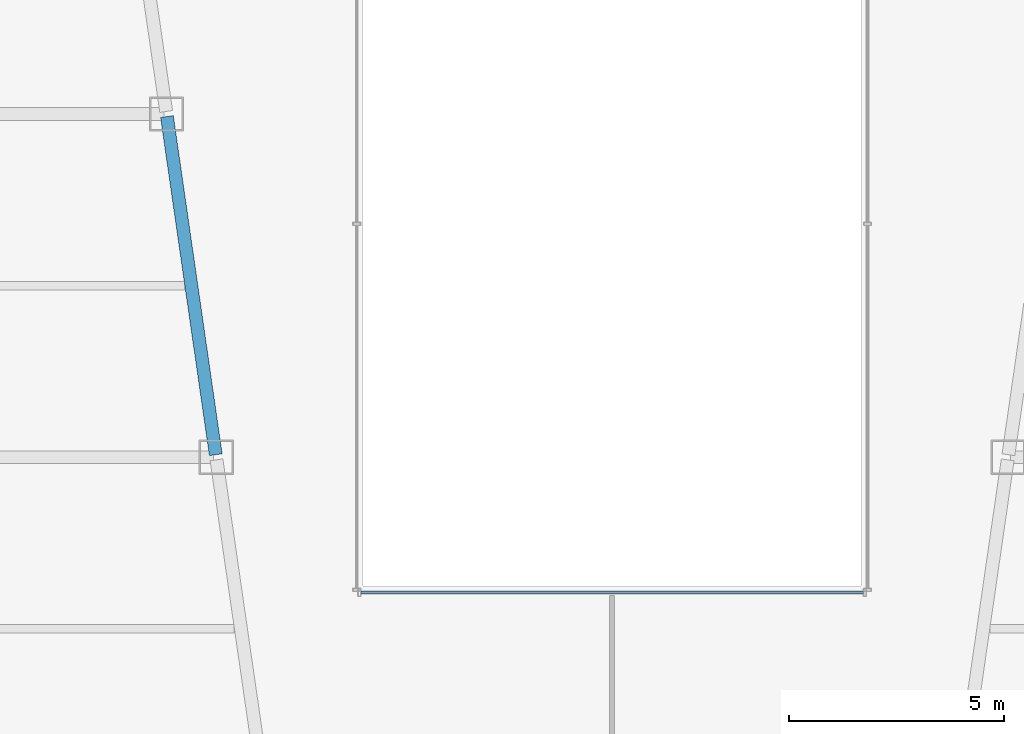
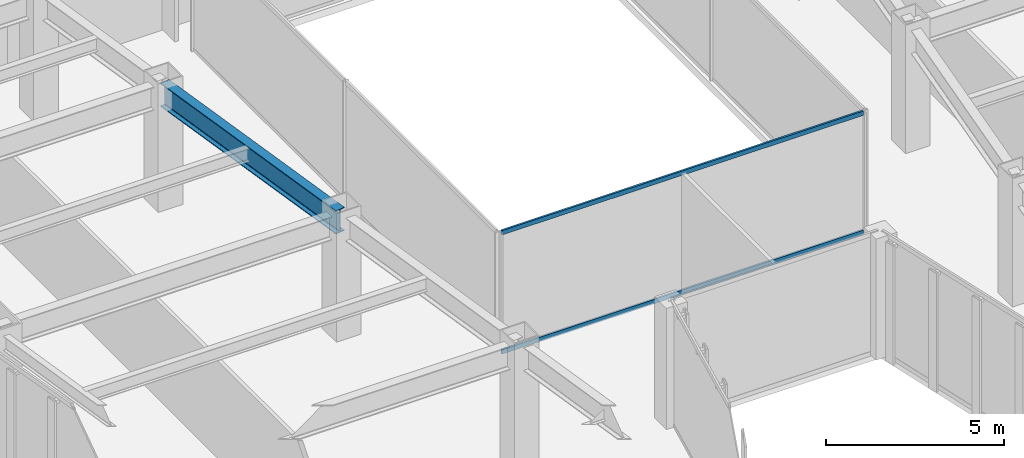
# One storey, part 13 of 47: 2 members, 1 beam, 1 element without a shape of its own.
"""IFC4 building model written with IfcOpenShell, lengths in metres."""

from ifc_helpers import new_model, si_unit, direction, frame, origin, origin_2d, place, context, subcontext, project, spatial, hollow_rectangle, i_section, extrude, material, material_profile, profile_set, type_object, element, aggregate, save


model = new_model("IFC4")

# Units and contexts
model_context = context("Model", 3, precision=1e-05, world=origin(), true_north=direction((0.0, 1.0)))
body_context = subcontext(model_context, "Body", "Model", "MODEL_VIEW")
ifc_project = project(units=[si_unit("LENGTHUNIT", "METRE"), si_unit("AREAUNIT", "SQUARE_METRE"), si_unit("VOLUMEUNIT", "CUBIC_METRE"), si_unit("PLANEANGLEUNIT", "RADIAN"), si_unit("MASSUNIT", "GRAM", prefix="KILO")], contexts=[model_context])

# Site, building, storey
site_placement = place(None, origin())
site = spatial("IfcSite", under=ifc_project, at=site_placement, CompositionType="ELEMENT")
building_placement = place(site_placement, origin())
building = spatial("IfcBuilding", under=site, at=building_placement, Name="Saevonmaru Cultural Tower", CompositionType="ELEMENT")
storey_placement = place(building_placement, frame((0.0, 0.0, 64.800048828125)))
storey = spatial("IfcBuildingStorey", under=building, at=storey_placement, Name="L13", CompositionType="ELEMENT", Elevation=64.800048828125)

# Beam
ifc_material_1 = material(Name="Steel SM420", Category="steel")
ifc_material_profile_1 = material_profile(ifc_material_1, i_section(OverallWidth=0.300048828125, OverallDepth=0.800048828125, WebThickness=0.013916015625, FlangeThickness=0.02587890625, FilletRadius=0.028076171875, at=origin_2d()), Name="H-800x300x14x26")
ifc_profile_set_1 = profile_set([ifc_material_profile_1], Name="Steel SM420")
beam_type = type_object("IfcBeamType", Name="BM-G-H800", PredefinedType="BEAM", material=ifc_profile_set_1)
beam_placement = place(storey_placement, frame((20.763427734375, 24.059326171875, 3.75), z_axis=(-0.142902032203, 0.989736838353, 0.0), x_axis=(-0.989736838353, -0.142902032203, 0.0)))
element("IfcBeam", 1, at=beam_placement, inside=storey, type_object=beam_type, Name="L13 West Atrium Girder 4", PredefinedType="BEAM", context=body_context, shape_type="SweptSolid", body=[
    extrude(i_section(OverallWidth=0.300048828125, OverallDepth=0.800048828125, WebThickness=0.013916015625, FlangeThickness=0.02587890625, FilletRadius=0.028076171875, at=origin_2d()), origin(), (0.0, 0.0, 1.0), 7.963134765625),
])

# Curtain wall, members
ifc_material_2 = material(Name="Satin Bronze Anodised Aluminium", Category="aluminium")
curtain_wall_type = type_object("IfcCurtainWallType", Name="CW-ATR-GLZ", PredefinedType="NOTDEFINED", material=ifc_material_2)
curtain_wall_placement = place(storey_placement, origin())
curtain_wall = element("IfcCurtainWall", 2, at=curtain_wall_placement, inside=storey, type_object=curtain_wall_type, Name="L13 Vertical Atrium Glazed Smoke Screen 1", PredefinedType="NOTDEFINED")
ifc_material_profile_2 = material_profile(ifc_material_2, hollow_rectangle(XDim=0.06494140625, YDim=0.14990234375, WallThickness=0.00390625, at=origin_2d()), Name="ALU-TRAN-150x65x4")
ifc_profile_set_2 = profile_set([ifc_material_profile_2], Name="Satin Bronze Anodised Aluminium")
member_type = type_object("IfcMemberType", Name="TR-CW-INT-150x65", PredefinedType="USERDEFINED", material=ifc_profile_set_2)
member_1_placement = place(storey_placement, frame((24.142578125, 20.85009765625, 0.032470703125), z_axis=(1.0, 0.0, 0.0), x_axis=(0.0, 1.0, 0.0)))
member_1 = element("IfcMember", 3, at=member_1_placement, type_object=member_type, Name="CW-ATR-L13-1 transom 1.1", ObjectType="TRANSOM", PredefinedType="USERDEFINED", context=body_context, shape_type="SweptSolid", body=[
    extrude(hollow_rectangle(XDim=0.06494140625, YDim=0.14990234375, WallThickness=0.00390625, at=origin_2d()), origin(), (0.0, 0.0, 1.0), 11.71484375),
])
member_2_placement = place(storey_placement, frame((24.142578125, 20.85009765625, 4.117431640625), z_axis=(1.0, 0.0, 0.0), x_axis=(0.0, 1.0, 0.0)))
member_2 = element("IfcMember", 4, at=member_2_placement, type_object=member_type, Name="CW-ATR-L13-1 transom 1.2", ObjectType="TRANSOM", PredefinedType="USERDEFINED", context=body_context, shape_type="SweptSolid", body=[
    extrude(hollow_rectangle(XDim=0.06494140625, YDim=0.14990234375, WallThickness=0.00390625, at=origin_2d()), origin(), (0.0, 0.0, 1.0), 11.71484375),
])
aggregate(curtain_wall, [member_1, member_2])

save(model, "model.ifc")
